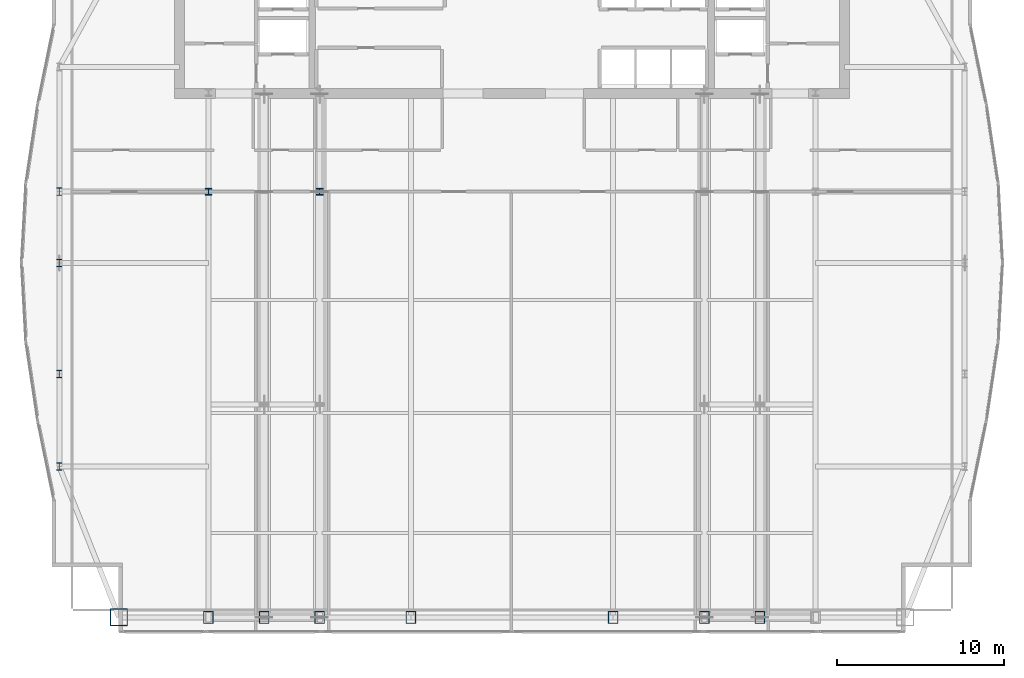
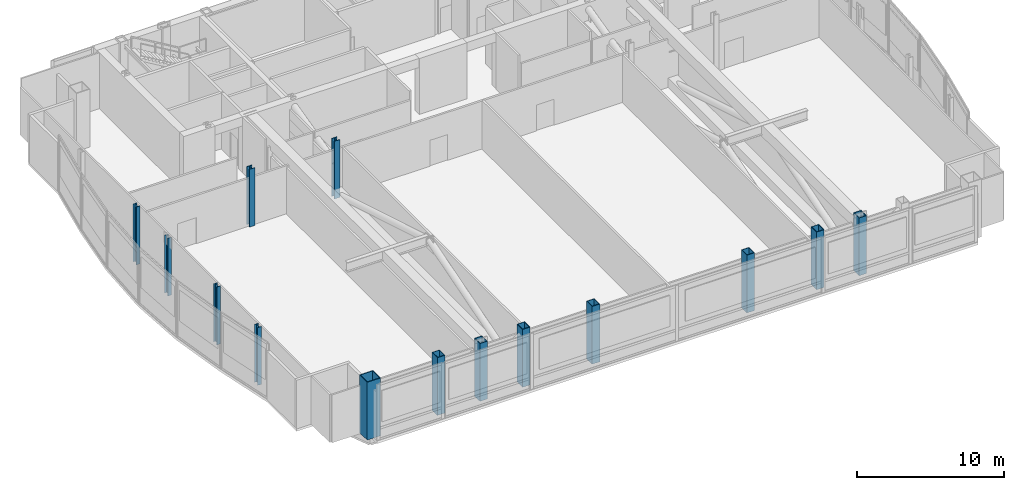
# One storey, part 1 of 32: 14 columns.
"""IFC4 building model written with IfcOpenShell, lengths in metres."""

from ifc_helpers import new_model, si_unit, direction, frame, origin, origin_2d, place, context, subcontext, project, spatial, hollow_rectangle, i_section, extrude, material, material_profile, profile_set, type_object, element, save


model = new_model("IFC4")

# Units and contexts
model_context = context("Model", 3, precision=1e-05, world=origin(), true_north=direction((0.0, 1.0)))
body_context = subcontext(model_context, "Body", "Model", "MODEL_VIEW")
ifc_project = project(units=[si_unit("LENGTHUNIT", "METRE"), si_unit("AREAUNIT", "SQUARE_METRE"), si_unit("VOLUMEUNIT", "CUBIC_METRE"), si_unit("PLANEANGLEUNIT", "RADIAN"), si_unit("MASSUNIT", "GRAM", prefix="KILO")], contexts=[model_context])

# Site, building, storey
site_placement = place(None, origin())
site = spatial("IfcSite", under=ifc_project, at=site_placement, CompositionType="ELEMENT")
building_placement = place(site_placement, origin())
building = spatial("IfcBuilding", under=site, at=building_placement, Name="Khoronbel Lancet Exchange", CompositionType="ELEMENT")
storey_placement = place(building_placement, frame((0.0, 0.0, 257.0)))
storey = spatial("IfcBuildingStorey", under=building, at=storey_placement, Name="L66", CompositionType="ELEMENT", Elevation=257.0)

# Columns
ifc_material_1 = material(Name="Steel S460", Category="steel")
ifc_material_profile_1 = material_profile(ifc_material_1, hollow_rectangle(XDim=0.60009765625, YDim=0.75, WallThickness=0.044921875, at=origin_2d()), Name="BOX 750x600x45")
ifc_profile_set_1 = profile_set([ifc_material_profile_1], Name="Steel S460")
column_type_1 = type_object("IfcColumnType", Name="COL-EC3", PredefinedType="COLUMN", material=ifc_profile_set_1)
for number, where, z_axis, x_axis, name in (
    (1, (18.22509765625, 10.14990234375, 0.0), (0.0, 0.0, 1.0), (1.0, 0.0, 0.0), "Structural column SC-W1 L66"),
    (2, (21.5625, 10.14990234375, 0.0), (0.0, 0.0, 1.0), (1.0, 0.0, 0.0), "Structural column SC-WM L66"),
    (3, (24.89990234375, 10.14990234375, 0.0), (0.0, 0.0, 1.0), (1.0, 0.0, 0.0), "Structural column SC-W2 L66"),
    (4, (30.375, 10.14990234375, 0.0), (0.0, 0.0, 1.0), (1.0, 0.0, 0.0), "Structural column SC-C1 L66"),
    (5, (42.52490234375, 10.14990234375, 0.0), (0.0, 0.0, 1.0), (1.0, 0.0, 0.0), "Structural column SC-C2 L66"),
    (6, (48.0, 10.14990234375, 0.0), (0.0, 0.0, 1.0), (1.0, 0.0, 0.0), "Structural column SC-E1 L66"),
    (7, (51.33740234375, 10.14990234375, 0.0), (0.0, 0.0, 1.0), (1.0, 0.0, 0.0), "Structural column SC-EM L66"),
):
    element("IfcColumn", number, at=place(storey_placement, frame(where, z_axis=z_axis, x_axis=x_axis)), inside=storey, type_object=column_type_1, Name=name, PredefinedType="COLUMN", context=body_context, shape_type="SweptSolid", body=[
        extrude(hollow_rectangle(XDim=0.60009765625, YDim=0.75, WallThickness=0.044921875, at=origin_2d()), origin(), (0.0, 0.0, 1.0), 4.800048828125),
    ])
ifc_material_2 = material(Name="Steel S355", Category="steel")
ifc_material_profile_2 = material_profile(ifc_material_2, i_section(OverallWidth=0.406005859375, OverallDepth=0.416015625, WebThickness=0.02978515625, FlangeThickness=0.048095703125, at=origin_2d()), Name="HD 400x382")
ifc_profile_set_2 = profile_set([ifc_material_profile_2], Name="Steel S355")
column_type_2 = type_object("IfcColumnType", Name="COL-IC3", PredefinedType="COLUMN", material=ifc_profile_set_2)
for number, where, z_axis, x_axis, name in (
    (8, (18.22509765625, 35.699951171875, 0.0), (0.0, 0.0, 1.0), (1.0, 0.0, 0.0), "Spine gravity column TC1 L66"),
    (9, (24.89990234375, 35.699951171875, 0.0), (0.0, 0.0, 1.0), (1.0, 0.0, 0.0), "Spine gravity column TC2 L66"),
):
    element("IfcColumn", number, at=place(storey_placement, frame(where, z_axis=z_axis, x_axis=x_axis)), inside=storey, type_object=column_type_2, Name=name, PredefinedType="COLUMN", context=body_context, shape_type="SweptSolid", body=[
        extrude(i_section(OverallWidth=0.406005859375, OverallDepth=0.416015625, WebThickness=0.02978515625, FlangeThickness=0.048095703125, at=origin_2d()), origin(), (0.0, 0.0, 1.0), 4.800048828125),
    ])
ifc_material_profile_3 = material_profile(ifc_material_2, i_section(OverallWidth=0.300048828125, OverallDepth=0.449951171875, WebThickness=0.013916015625, FlangeThickness=0.02587890625, at=origin_2d()), Name="HEB 450")
ifc_profile_set_3 = profile_set([ifc_material_profile_3], Name="Steel S355")
column_type_3 = type_object("IfcColumnType", Name="COL-LC2", PredefinedType="COLUMN", material=ifc_profile_set_3)
for number, where, z_axis, x_axis, name in (
    (10, (9.27001953125, 19.199951171875, 0.0), (0.0, 0.0, 1.0), (1.0, 0.0, 0.0), "Structural column WC-1 L66"),
    (11, (9.27001953125, 24.75, 0.0), (0.0, 0.0, 1.0), (1.0, 0.0, 0.0), "Structural column WC-2 L66"),
    (12, (9.27001953125, 31.425048828125, 0.0), (0.0, 0.0, 1.0), (1.0, 0.0, 0.0), "Structural column WC-M L66"),
    (13, (9.27001953125, 35.699951171875, 0.0), (0.0, 0.0, 1.0), (1.0, 0.0, 0.0), "Structural column WC-3 L66"),
):
    element("IfcColumn", number, at=place(storey_placement, frame(where, z_axis=z_axis, x_axis=x_axis)), inside=storey, type_object=column_type_3, Name=name, PredefinedType="COLUMN", context=body_context, shape_type="SweptSolid", body=[
        extrude(i_section(OverallWidth=0.300048828125, OverallDepth=0.449951171875, WebThickness=0.013916015625, FlangeThickness=0.02587890625, at=origin_2d()), origin(), (0.0, 0.0, 1.0), 4.800048828125),
    ])
ifc_material_profile_4 = material_profile(ifc_material_1, hollow_rectangle(XDim=1.050048828125, YDim=1.050048828125, WallThickness=0.054931640625, at=origin_2d()), Name="BOX 1050x1050x55")
ifc_profile_set_4 = profile_set([ifc_material_profile_4], Name="Steel S460")
column_type_4 = type_object("IfcColumnType", Name="COL-MC6", PredefinedType="COLUMN", material=ifc_profile_set_4)
column_placement = place(storey_placement, frame((12.85009765625, 10.14990234375, 0.0), z_axis=(0.0, 0.0, 1.0), x_axis=(1.0, 0.0, 0.0)))
element("IfcColumn", 14, at=column_placement, inside=storey, type_object=column_type_4, Name="Structural column MC-SW L66", PredefinedType="COLUMN", context=body_context, shape_type="SweptSolid", body=[
    extrude(hollow_rectangle(XDim=1.050048828125, YDim=1.050048828125, WallThickness=0.054931640625, at=origin_2d()), origin(), (0.0, 0.0, 1.0), 4.800048828125),
])

save(model, "model.ifc")
